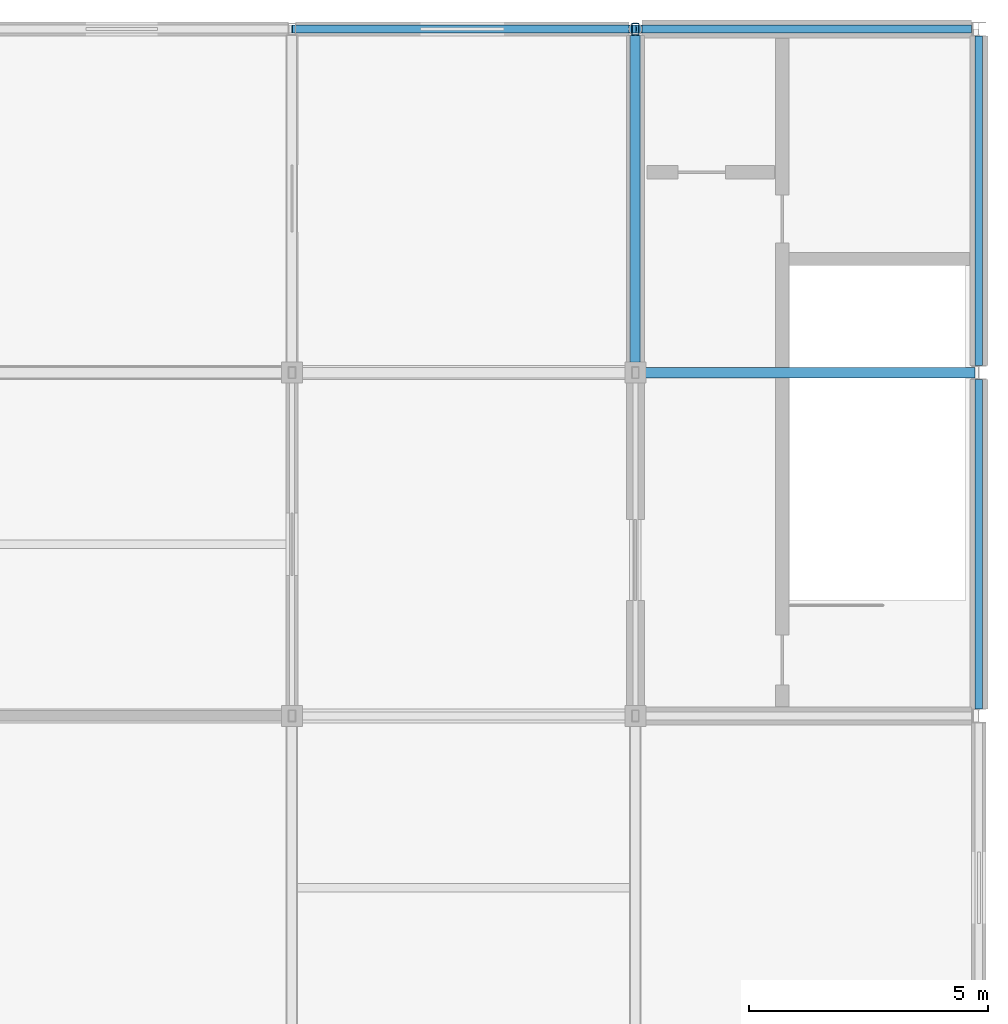
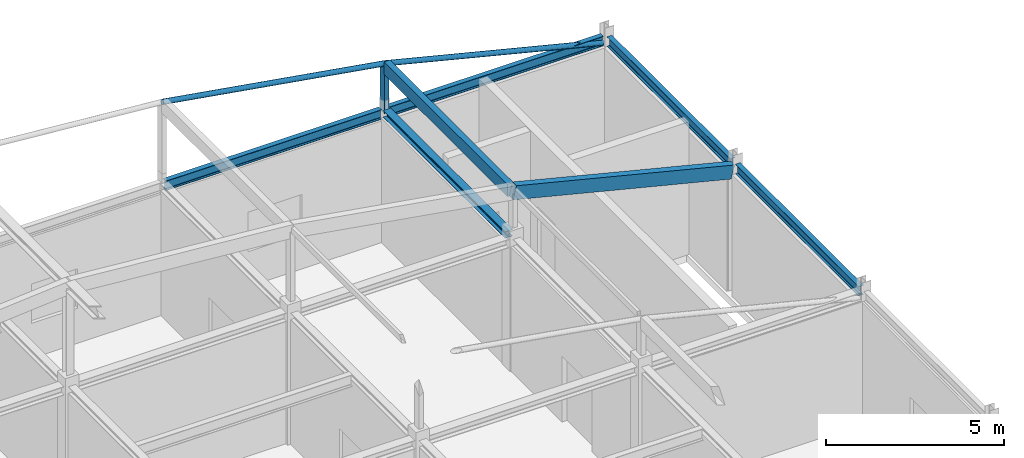
# One storey, part 14 of 23: 5 beams, 5 members.
"""IFC4 building model written with IfcOpenShell, lengths in metres."""

from ifc_helpers import new_model, si_unit, direction, frame, origin, origin_2d, place, context, subcontext, project, spatial, rectangle, hollow_rectangle, hollow_circle, i_section, extrude, material, material_profile, profile_set, type_object, element, save


model = new_model("IFC4")

# Units and contexts
model_context = context("Model", 3, precision=1e-05, world=origin(), true_north=direction((0.0, 1.0)))
body_context = subcontext(model_context, "Body", "Model", "MODEL_VIEW")
ifc_project = project(units=[si_unit("LENGTHUNIT", "METRE"), si_unit("AREAUNIT", "SQUARE_METRE"), si_unit("VOLUMEUNIT", "CUBIC_METRE"), si_unit("PLANEANGLEUNIT", "RADIAN"), si_unit("MASSUNIT", "GRAM", prefix="KILO")], contexts=[model_context])

# Site, building, storey
site_placement = place(None, origin())
site = spatial("IfcSite", under=ifc_project, at=site_placement, CompositionType="ELEMENT")
building_placement = place(site_placement, origin())
building = spatial("IfcBuilding", under=site, at=building_placement, Name="Cendaluz Park School", CompositionType="ELEMENT")
storey_placement = place(building_placement, frame((0.0, 0.0, 67.199951171875)))
storey = spatial("IfcBuildingStorey", under=building, at=storey_placement, Name="L16", CompositionType="ELEMENT", Elevation=67.199951171875)

# Beams
ifc_material_1 = material(Name="Steel S355", Category="steel")
ifc_material_profile_1 = material_profile(ifc_material_1, i_section(OverallWidth=0.239990234375, OverallDepth=0.22998046875, WebThickness=0.008056640625, FlangeThickness=0.011962890625, FilletRadius=0.02099609375, at=origin_2d()), Name="HEA 240", Category="steel")
ifc_profile_set_1 = profile_set([ifc_material_profile_1], Name="Steel S355")
beam_type_1 = type_object("IfcBeamType", Name="BM-ST06", PredefinedType="BEAM", material=ifc_profile_set_1)
beam_1_placement = place(storey_placement, frame((100.800048828125, 50.6201171875, 4.375), z_axis=(0.0, 1.0, 0.0), x_axis=(-1.0, 0.0, 0.0)))
element("IfcBeam", 1, at=beam_1_placement, inside=storey, type_object=beam_type_1, Name="BM-L16-BMST06-0070", PredefinedType="BEAM", context=body_context, shape_type="SweptSolid", body=[
    extrude(i_section(OverallWidth=0.239990234375, OverallDepth=0.22998046875, WebThickness=0.008056640625, FlangeThickness=0.011962890625, FilletRadius=0.02099609375, at=origin_2d()), origin(), (0.0, 0.0, 1.0), 6.84326171875),
])
ifc_material_profile_2 = material_profile(ifc_material_1, i_section(OverallWidth=0.159912109375, OverallDepth=0.330078125, WebThickness=0.008056640625, FlangeThickness=0.011962890625, FilletRadius=0.01806640625, at=origin_2d()), Name="IPE 330", Category="steel")
ifc_profile_set_2 = profile_set([ifc_material_profile_2], Name="Steel S355")
beam_type_2 = type_object("IfcBeamType", Name="BM-ST08", PredefinedType="LINTEL", material=ifc_profile_set_2)
beam_2_placement = place(storey_placement, frame((93.675048828125, 57.60009765625, 4.324951171875), z_axis=(1.0, 0.0, 0.0), x_axis=(0.0, 1.0, 0.0)))
element("IfcBeam", 2, at=beam_2_placement, inside=storey, type_object=beam_type_2, Name="BM-L16-BMST08-0031", PredefinedType="LINTEL", context=body_context, shape_type="SweptSolid", body=[
    extrude(i_section(OverallWidth=0.159912109375, OverallDepth=0.330078125, WebThickness=0.008056640625, FlangeThickness=0.011962890625, FilletRadius=0.01806640625, at=origin_2d()), origin(), (0.0, 0.0, 1.0), 6.988525390625),
])
beam_3_placement = place(storey_placement, frame((100.9365234375, 57.60009765625, 4.324951171875), z_axis=(1.0, 0.0, 0.0), x_axis=(0.0, 1.0, 0.0)))
element("IfcBeam", 3, at=beam_3_placement, inside=storey, type_object=beam_type_2, Name="BM-L16-BMST08-0036", PredefinedType="LINTEL", context=body_context, shape_type="SweptSolid", body=[
    extrude(i_section(OverallWidth=0.159912109375, OverallDepth=0.330078125, WebThickness=0.008056640625, FlangeThickness=0.011962890625, FilletRadius=0.01806640625, at=origin_2d()), origin(), (0.0, 0.0, 1.0), 6.91357421875),
])
beam_4_placement = place(storey_placement, frame((108.0, 43.35009765625, 4.324951171875), z_axis=(0.0, 1.0, 0.0), x_axis=(-1.0, 0.0, 0.0)))
element("IfcBeam", 4, at=beam_4_placement, inside=storey, type_object=beam_type_2, Name="BM-L16-BMST08-0075", PredefinedType="LINTEL", context=body_context, shape_type="SweptSolid", body=[
    extrude(i_section(OverallWidth=0.159912109375, OverallDepth=0.330078125, WebThickness=0.008056640625, FlangeThickness=0.011962890625, FilletRadius=0.01806640625, at=origin_2d()), origin(), (0.0, 0.0, 1.0), 6.90478515625),
])
beam_5_placement = place(storey_placement, frame((108.0, 50.544921875, 4.324951171875), z_axis=(0.0, 1.0, 0.0), x_axis=(-1.0, 0.0, 0.0)))
element("IfcBeam", 5, at=beam_5_placement, inside=storey, type_object=beam_type_2, Name="BM-L16-BMST08-0076", PredefinedType="LINTEL", context=body_context, shape_type="SweptSolid", body=[
    extrude(i_section(OverallWidth=0.159912109375, OverallDepth=0.330078125, WebThickness=0.008056640625, FlangeThickness=0.011962890625, FilletRadius=0.01806640625, at=origin_2d()), origin(), (0.0, 0.0, 1.0), 6.905029296875),
])

# Members
ifc_material_profile_3 = material_profile(ifc_material_1, hollow_circle(Radius=0.083984375, WallThickness=0.008056640625, at=origin_2d()), Name="CHS 168x8", Category="steel")
ifc_profile_set_3 = profile_set([ifc_material_profile_3], Name="Steel S355")
member_type_1 = type_object("IfcMemberType", Name="MB-CH02", PredefinedType="CHORD", material=ifc_profile_set_3)
member_1_placement = place(storey_placement, frame((93.60009765625, 57.60009765625, 7.179931640625), z_axis=(0.986394827799, 0.0, -0.164393563414), x_axis=(0.0, 1.0, 0.0)))
element("IfcMember", 6, at=member_1_placement, inside=storey, type_object=member_type_1, Name="MB-L16-MBCH02-0076", PredefinedType="CHORD", context=body_context, shape_type="SweptSolid", body=[
    extrude(hollow_circle(Radius=0.083984375, WallThickness=0.008056640625, at=origin_2d()), origin(), (0.0, 0.0, 1.0), 7.29931640625),
])
member_2_placement = place(storey_placement, frame((100.800048828125, 57.60009765625, 5.97998046875), z_axis=(0.970304131105, 0.0, -0.241888183178), x_axis=(0.0, 1.0, 0.0)))
element("IfcMember", 7, at=member_2_placement, inside=storey, type_object=member_type_1, Name="MB-L16-MBCH02-0077", PredefinedType="CHORD", context=body_context, shape_type="SweptSolid", body=[
    extrude(hollow_circle(Radius=0.083984375, WallThickness=0.008056640625, at=origin_2d()), origin(), (0.0, 0.0, 1.0), 7.276123046875),
])
ifc_material_2 = material(Name="Glulam GL28h", Category="wood")
ifc_material_profile_4 = material_profile(ifc_material_2, rectangle(XDim=0.219970703125, YDim=0.4599609375, at=origin_2d()), Name="GL28h 220x460", Category="wood")
ifc_profile_set_4 = profile_set([ifc_material_profile_4], Name="Glulam GL28h")
member_type_2 = type_object("IfcMemberType", Name="MB-CH03", PredefinedType="CHORD", material=ifc_profile_set_4)
member_3_placement = place(storey_placement, frame((100.800048828125, 50.39990234375, 5.97998046875), z_axis=(0.970304131105, 0.0, -0.241888183178), x_axis=(0.0, 1.0, 0.0)))
element("IfcMember", 8, at=member_3_placement, inside=storey, type_object=member_type_2, Name="MB-L16-MBCH03-0066", PredefinedType="CHORD", context=body_context, shape_type="SweptSolid", body=[
    extrude(rectangle(XDim=0.219970703125, YDim=0.4599609375, at=origin_2d()), origin(), (0.0, 0.0, 1.0), 7.276123046875),
])
ifc_material_profile_5 = material_profile(ifc_material_2, rectangle(XDim=0.199951171875, YDim=0.419921875, at=origin_2d()), Name="GL28h 200x420", Category="wood")
ifc_profile_set_5 = profile_set([ifc_material_profile_5], Name="Glulam GL28h")
member_type_3 = type_object("IfcMemberType", Name="MB-PR04", PredefinedType="PURLIN", material=ifc_profile_set_5)
member_4_placement = place(storey_placement, frame((100.800048828125, 50.5400390625, 5.93994140625), z_axis=(0.0, 1.0, 0.0), x_axis=(-1.0, 0.0, 0.0)))
element("IfcMember", 9, at=member_4_placement, inside=storey, type_object=member_type_3, Name="MB-L16-MBPR04-0101", PredefinedType="PURLIN", context=body_context, shape_type="SweptSolid", body=[
    extrude(rectangle(XDim=0.199951171875, YDim=0.419921875, at=origin_2d()), origin(), (0.0, 0.0, 1.0), 6.919921875),
])
ifc_material_profile_6 = material_profile(ifc_material_1, hollow_rectangle(XDim=0.14990234375, YDim=0.25, WallThickness=0.010009765625, at=origin_2d()), Name="RHS 250x150x10", Category="steel")
ifc_profile_set_6 = profile_set([ifc_material_profile_6], Name="Steel S355")
member_type_4 = type_object("IfcMemberType", Name="MST-02", PredefinedType="STRUT", material=ifc_profile_set_6)
member_5_placement = place(storey_placement, frame((100.800048828125, 57.60009765625, 4.35009765625), z_axis=(0.0, 0.0, 1.0), x_axis=(1.0, 0.0, 0.0)))
element("IfcMember", 10, at=member_5_placement, inside=storey, type_object=member_type_4, Name="MB-L16-MBST02-0071", PredefinedType="STRUT", context=body_context, shape_type="SweptSolid", body=[
    extrude(hollow_rectangle(XDim=0.14990234375, YDim=0.25, WallThickness=0.010009765625, at=origin_2d()), origin(), (0.0, 0.0, 1.0), 1.6298828125),
])

save(model, "model.ifc")
